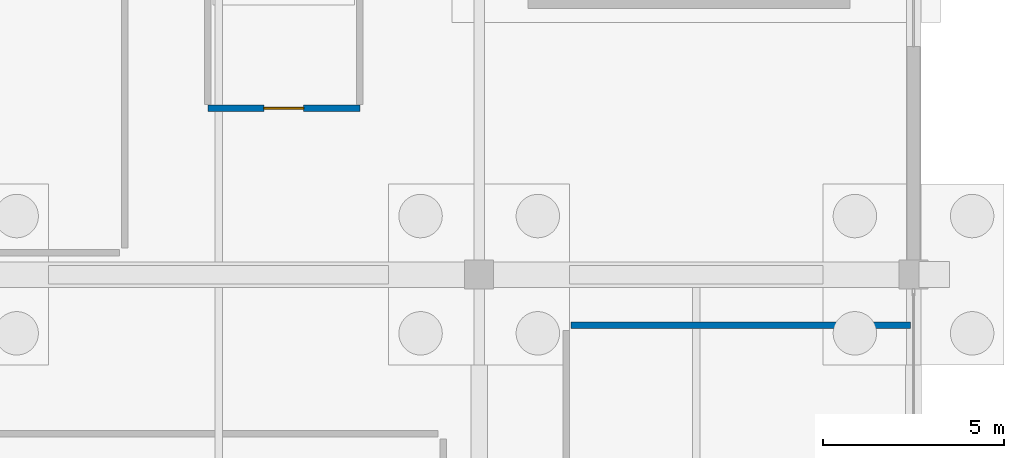
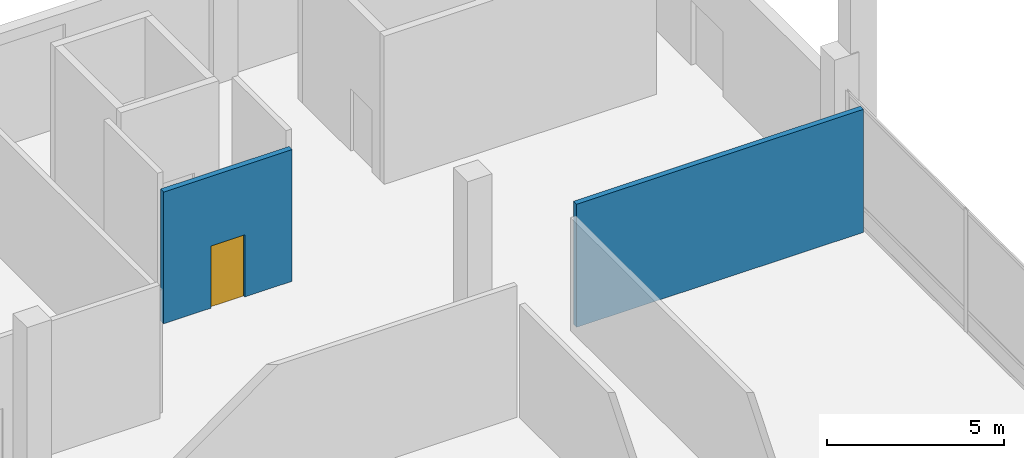
# One storey, part 148 of 192: 2 walls, 1 door, 1 opening.
"""IFC4 building model written with IfcOpenShell, lengths in metres."""

from ifc_helpers import new_model, si_unit, direction, frame, frame_2d, origin, place, context, subcontext, project, spatial, rectangle, extrude, material, layer, layer_set, type_object, element, fill, save


model = new_model("IFC4")

# Units and contexts
model_context = context("Model", 3, precision=1e-05, world=origin(), true_north=direction((0.0, 1.0)))
body_context = subcontext(model_context, "Body", "Model", "MODEL_VIEW")
ifc_project = project(units=[si_unit("LENGTHUNIT", "METRE"), si_unit("AREAUNIT", "SQUARE_METRE"), si_unit("VOLUMEUNIT", "CUBIC_METRE"), si_unit("PLANEANGLEUNIT", "RADIAN"), si_unit("MASSUNIT", "GRAM", prefix="KILO")], contexts=[model_context])

# Site, building, storey
site_placement = place(None, origin())
site = spatial("IfcSite", under=ifc_project, at=site_placement, CompositionType="ELEMENT")
building_placement = place(site_placement, origin())
building = spatial("IfcBuilding", under=site, at=building_placement, Name="Cendralis Lancet Convention Centre", CompositionType="ELEMENT")
storey_placement = place(building_placement, origin())
storey = spatial("IfcBuildingStorey", under=building, at=storey_placement, Name="L00", CompositionType="ELEMENT", Elevation=0.0)

# Wall, opening, door
ifc_material_1 = material(Name="Acoustic fire-rated gypsum board on steel studs", Category="steel")
ifc_layer = layer(ifc_material_1, 0.179931640625, Name="Acoustic fire-rated gypsum board on steel studs")
ifc_layer_set = layer_set([ifc_layer], Name="Acoustic fire-rated gypsum board on steel studs")
wall_type = type_object("IfcWallType", Name="ARC-IW-P180", PredefinedType="PARTITIONING", material=ifc_layer_set)
wall_1_placement = place(storey_placement, frame((193.5, 127.0, 0.0), z_axis=(0.0, 0.0, 1.0), x_axis=(-1.0, 0.0, 0.0)))
wall_1 = element("IfcWall", 1, at=wall_1_placement, inside=storey, type_object=wall_type, Name="L00 Lift Lobby LG-03 Front Wall", PredefinedType="PARTITIONING", context=body_context, shape_type="SweptSolid", body=[
    extrude(rectangle(XDim=4.199951171875, YDim=0.179931640625, at=frame_2d((2.10009765625, 0.0))), origin(), (0.0, 0.0, 1.0), 4.554931640625),
])
opening_placement = place(wall_1_placement, frame((1.550048828125, 0.0, 0.0)))
opening = element("IfcOpeningElement", 2, at=opening_placement, cuts=wall_1, Name="Opening FD-11", PredefinedType="OPENING", context=body_context, shape_type="SweptSolid", body=[
    extrude(rectangle(XDim=1.10009765625, YDim=2.14990234375, at=frame_2d((0.550048828125, 1.074951171875))), frame((0.0, 0.099853515625, 0.0), z_axis=(0.0, -1.0, 0.0), x_axis=(1.0, 0.0, 0.0)), (0.0, 0.0, 1.0), 0.199951171875),
])
ifc_material_2 = material(Name="Steel S355", Category="steel")
door_type = type_object("IfcDoorType", Name="ARC-DR-FF11", OperationType="NOTDEFINED", PredefinedType="DOOR", material=ifc_material_2)
door_placement = place(opening_placement, origin())
door = element("IfcDoor", 3, at=door_placement, inside=storey, type_object=door_type, Name="L00-D108 L00 Lift Lobby LG-03 Fire Door", OperationType="SINGLE_SWING_RIGHT", OverallHeight=2.14990234375, OverallWidth=1.10009765625, PredefinedType="DOOR", context=body_context, shape_type="SweptSolid", body=[
    extrude(rectangle(XDim=1.10009765625, YDim=2.14990234375, at=frame_2d((0.550048828125, 1.074951171875))), frame((0.0, 0.02490234375, 0.0), z_axis=(0.0, -1.0, 0.0), x_axis=(1.0, 0.0, 0.0)), (0.0, 0.0, 1.0), 0.050048828125),
])
fill(opening, door)

# Wall
wall_2_placement = place(storey_placement, frame((199.340087890625, 121.0, 0.0), z_axis=(0.0, 0.0, 1.0), x_axis=(1.0, 0.0, 0.0)))
element("IfcWall", 4, at=wall_2_placement, inside=storey, type_object=wall_type, Name="L00 Interior Partition IW-02 #0148", PredefinedType="PARTITIONING", context=body_context, shape_type="SweptSolid", body=[
    extrude(rectangle(XDim=9.3798828125, YDim=0.179931640625, at=frame_2d((4.68994140625, 0.0))), origin(), (0.0, 0.0, 1.0), 4.2548828125),
])

save(model, "model.ifc")
